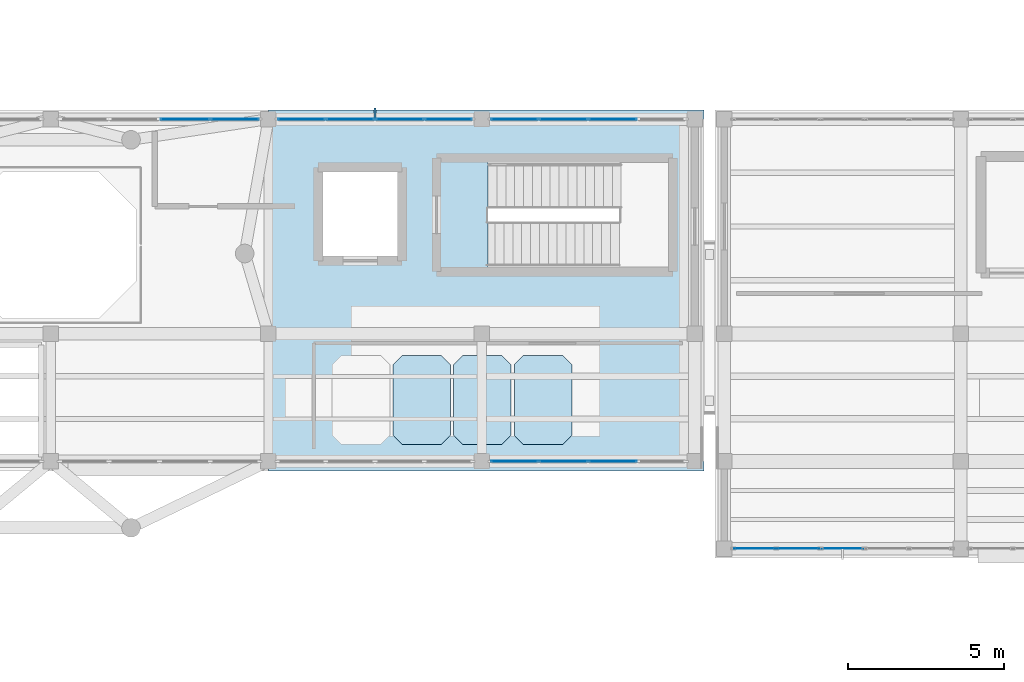
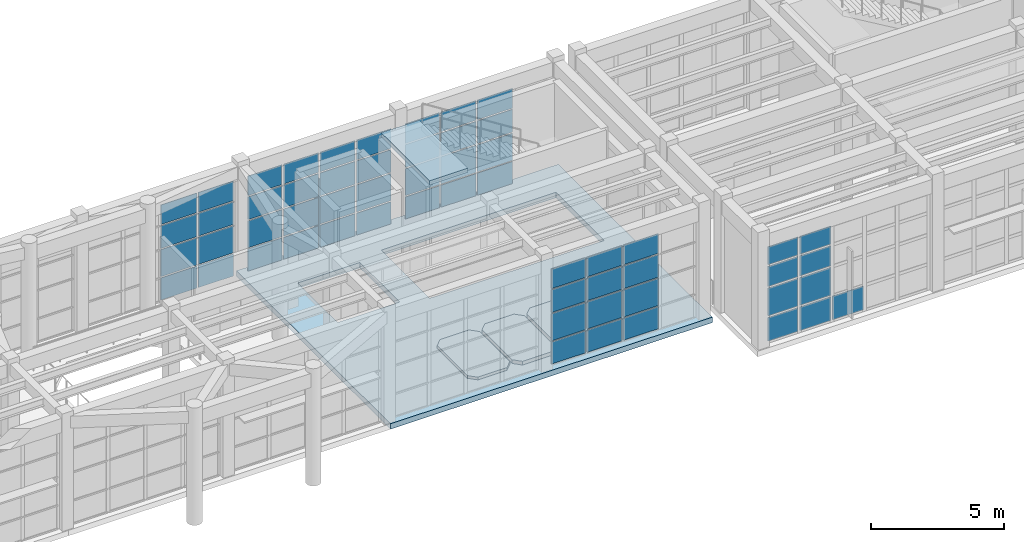
# One storey, part 68 of 103: 58 plates, 5 slabs, 6 elements without a shape of their own.
"""IFC4 building model written with IfcOpenShell, lengths in metres."""

from ifc_helpers import new_model, si_unit, direction, frame, origin, origin_2d, place, context, subcontext, project, spatial, polyline, rectangle, outline, extrude, material, layer, layer_set, type_object, element, aggregate, save


model = new_model("IFC4")

# Units and contexts
model_context = context("Model", 3, precision=1e-05, world=origin(), true_north=direction((0.0, 1.0)))
body_context = subcontext(model_context, "Body", "Model", "MODEL_VIEW")
ifc_project = project(units=[si_unit("LENGTHUNIT", "METRE"), si_unit("AREAUNIT", "SQUARE_METRE"), si_unit("VOLUMEUNIT", "CUBIC_METRE"), si_unit("PLANEANGLEUNIT", "RADIAN"), si_unit("MASSUNIT", "GRAM", prefix="KILO")], contexts=[model_context])

# Site, building, storey
site_placement = place(None, origin())
site = spatial("IfcSite", under=ifc_project, at=site_placement, CompositionType="ELEMENT")
building_placement = place(site_placement, origin())
building = spatial("IfcBuilding", under=site, at=building_placement, Name="Candilejo Ridge Gondola Terminal", CompositionType="ELEMENT")
storey_placement = place(building_placement, frame((0.0, 0.0, 9.0)))
storey = spatial("IfcBuildingStorey", under=building, at=storey_placement, Name="L02", CompositionType="ELEMENT", Elevation=9.0)

# Slabs
ifc_material_1 = material(Name="Concrete f'c 35 MPa (C35/45)", Category="concrete")
ifc_layer_1 = layer(ifc_material_1, 0.169921875)
ifc_layer_set_1 = layer_set([ifc_layer_1], Name="ARC-AUD-TIER-SLAB")
slab_type_1 = type_object("IfcSlabType", Name="ARC-AUD-TIER-SLAB", PredefinedType="USERDEFINED", material=ifc_layer_set_1)
slab_1_placement = place(storey_placement, origin())
element("IfcSlab", 1, at=slab_1_placement, inside=storey, type_object=slab_type_1, Name="Lecture auditorium tier 02", ObjectType="AUDITORIUM TIER", PredefinedType="USERDEFINED", context=body_context, shape_type="SweptSolid", body=[
    extrude(outline(polyline([(76.640380859375, 26.25), (77.90966796875, 26.25), (78.199951171875, 26.540283203125), (78.199951171875, 28.8095703125), (77.90966796875, 29.10009765625), (76.640380859375, 29.10009765625), (76.35009765625, 28.8095703125), (76.35009765625, 26.540283203125), (76.640380859375, 26.25)])), origin(), (0.0, 0.0, 1.0), 0.125),
])
slab_2_placement = place(storey_placement, origin())
element("IfcSlab", 2, at=slab_2_placement, inside=storey, type_object=slab_type_1, Name="Lecture auditorium tier 03", ObjectType="AUDITORIUM TIER", PredefinedType="USERDEFINED", context=body_context, shape_type="SweptSolid", body=[
    extrude(outline(polyline([(78.59033203125, 26.25), (79.859619140625, 26.25), (80.14990234375, 26.540283203125), (80.14990234375, 28.8095703125), (79.859619140625, 29.10009765625), (78.59033203125, 29.10009765625), (78.300048828125, 28.8095703125), (78.300048828125, 26.540283203125), (78.59033203125, 26.25)])), origin(), (0.0, 0.0, 1.0), 0.169921875),
])
slab_3_placement = place(storey_placement, origin())
element("IfcSlab", 3, at=slab_3_placement, inside=storey, type_object=slab_type_1, Name="Lecture auditorium tier 04", ObjectType="AUDITORIUM TIER", PredefinedType="USERDEFINED", context=body_context, shape_type="SweptSolid", body=[
    extrude(outline(polyline([(80.540283203125, 26.25), (81.8095703125, 26.25), (82.10009765625, 26.540283203125), (82.10009765625, 28.8095703125), (81.8095703125, 29.10009765625), (80.540283203125, 29.10009765625), (80.25, 28.8095703125), (80.25, 26.540283203125), (80.540283203125, 26.25)])), origin(), (0.0, 0.0, 1.0), 0.215087890625),
])

# Curtain wall, plates
ifc_material_2 = material(Name="Anodised aluminium AA 6063-T6", Category="aluminium")
ifc_layer_2 = layer(ifc_material_2, 0.169921875)
ifc_layer_set_2 = layer_set([ifc_layer_2], Name="ARC-CW-DRUM-3400-650X449")
curtain_wall_type_1 = type_object("IfcCurtainWallType", Name="ARC-CW-DRUM-3400-650X449", PredefinedType="NOTDEFINED", material=ifc_layer_set_2)
curtain_wall_1_placement = place(storey_placement, origin())
curtain_wall_1 = element("IfcCurtainWall", 4, at=curtain_wall_1_placement, inside=storey, type_object=curtain_wall_type_1, Name="Curtain wall V2 L02-052", PredefinedType="NOTDEFINED")
ifc_material_3 = material(Name="Low-E laminated double glazing 6+12A+6+1.52PVB+6 mm", Category="glass")
ifc_layer_3 = layer(ifc_material_3, 0.028076171875)
ifc_layer_set_3 = layer_set([ifc_layer_3], Name="ARC-CW-GLAZ-PANEL")
plate_type_1 = type_object("IfcPlateType", Name="ARC-CW-GLAZ-PANEL", PredefinedType="CURTAIN_PANEL", material=ifc_layer_set_3)
plate_1_placement = place(storey_placement, frame((69.66259765625, 36.699951171875, 0.06005859375), z_axis=(0.0, 0.0, 1.0), x_axis=(1.0, 0.0, 0.0)))
plate_1 = element("IfcPlate", 5, at=plate_1_placement, type_object=plate_type_1, Name="CW-65X44 panel 3.1", PredefinedType="CURTAIN_PANEL", context=body_context, shape_type="SweptSolid", body=[
    extrude(rectangle(XDim=1.56005859375, YDim=0.028076171875, at=origin_2d()), origin(), (0.0, 0.0, 1.0), 1.010009765625),
])
plate_2_placement = place(storey_placement, frame((69.66259765625, 36.699951171875, 1.1298828125), z_axis=(0.0, 0.0, 1.0), x_axis=(1.0, 0.0, 0.0)))
plate_2 = element("IfcPlate", 6, at=plate_2_placement, type_object=plate_type_1, Name="CW-65X44 panel 3.2", PredefinedType="CURTAIN_PANEL", context=body_context, shape_type="SweptSolid", body=[
    extrude(rectangle(XDim=1.56005859375, YDim=0.028076171875, at=origin_2d()), origin(), (0.0, 0.0, 1.0), 1.239990234375),
])
plate_3_placement = place(storey_placement, frame((69.66259765625, 36.699951171875, 2.429931640625), z_axis=(0.0, 0.0, 1.0), x_axis=(1.0, 0.0, 0.0)))
plate_3 = element("IfcPlate", 7, at=plate_3_placement, type_object=plate_type_1, Name="CW-65X44 panel 3.3", PredefinedType="CURTAIN_PANEL", context=body_context, shape_type="SweptSolid", body=[
    extrude(rectangle(XDim=1.56005859375, YDim=0.028076171875, at=origin_2d()), origin(), (0.0, 0.0, 1.0), 1.0400390625),
])
plate_4_placement = place(storey_placement, frame((69.66259765625, 36.699951171875, 3.530029296875), z_axis=(0.0, 0.0, 1.0), x_axis=(1.0, 0.0, 0.0)))
plate_4 = element("IfcPlate", 8, at=plate_4_placement, type_object=plate_type_1, Name="CW-65X44 panel 3.4", PredefinedType="CURTAIN_PANEL", context=body_context, shape_type="SweptSolid", body=[
    extrude(rectangle(XDim=1.56005859375, YDim=0.028076171875, at=origin_2d()), origin(), (0.0, 0.0, 1.0), 0.89990234375),
])
plate_5_placement = place(storey_placement, frame((71.271240234375, 36.699951171875, 0.06005859375), z_axis=(0.0, 0.0, 1.0), x_axis=(1.0, 0.0, 0.0)))
plate_5 = element("IfcPlate", 9, at=plate_5_placement, type_object=plate_type_1, Name="CW-65X44 panel 4.1", PredefinedType="CURTAIN_PANEL", context=body_context, shape_type="SweptSolid", body=[
    extrude(rectangle(XDim=1.527587890625, YDim=0.028076171875, at=origin_2d()), origin(), (0.0, 0.0, 1.0), 1.010009765625),
])
plate_6_placement = place(storey_placement, frame((71.271240234375, 36.699951171875, 1.1298828125), z_axis=(0.0, 0.0, 1.0), x_axis=(1.0, 0.0, 0.0)))
plate_6 = element("IfcPlate", 10, at=plate_6_placement, type_object=plate_type_1, Name="CW-65X44 panel 4.2", PredefinedType="CURTAIN_PANEL", context=body_context, shape_type="SweptSolid", body=[
    extrude(rectangle(XDim=1.527587890625, YDim=0.028076171875, at=origin_2d()), origin(), (0.0, 0.0, 1.0), 1.239990234375),
])
plate_7_placement = place(storey_placement, frame((71.271240234375, 36.699951171875, 2.429931640625), z_axis=(0.0, 0.0, 1.0), x_axis=(1.0, 0.0, 0.0)))
plate_7 = element("IfcPlate", 11, at=plate_7_placement, type_object=plate_type_1, Name="CW-65X44 panel 4.3", PredefinedType="CURTAIN_PANEL", context=body_context, shape_type="SweptSolid", body=[
    extrude(rectangle(XDim=1.527587890625, YDim=0.028076171875, at=origin_2d()), origin(), (0.0, 0.0, 1.0), 1.0400390625),
])
plate_8_placement = place(storey_placement, frame((71.271240234375, 36.699951171875, 3.530029296875), z_axis=(0.0, 0.0, 1.0), x_axis=(1.0, 0.0, 0.0)))
plate_8 = element("IfcPlate", 12, at=plate_8_placement, type_object=plate_type_1, Name="CW-65X44 panel 4.4", PredefinedType="CURTAIN_PANEL", context=body_context, shape_type="SweptSolid", body=[
    extrude(rectangle(XDim=1.527587890625, YDim=0.028076171875, at=origin_2d()), origin(), (0.0, 0.0, 1.0), 0.89990234375),
])
aggregate(curtain_wall_1, [plate_1, plate_2, plate_3, plate_4, plate_5, plate_6, plate_7, plate_8])

ifc_material_4 = material(Name="Anodised aluminium AA 6063-T6", Category="aluminium")
ifc_layer_4 = layer(ifc_material_4, 0.169921875)
ifc_layer_set_4 = layer_set([ifc_layer_4], Name="ARC-CW-DRUM-3400-635X449")
curtain_wall_type_2 = type_object("IfcCurtainWallType", Name="ARC-CW-DRUM-3400-635X449", PredefinedType="NOTDEFINED", material=ifc_layer_set_4)
curtain_wall_2_placement = place(storey_placement, origin())
curtain_wall_2 = element("IfcCurtainWall", 13, at=curtain_wall_2_placement, inside=storey, type_object=curtain_wall_type_2, Name="Curtain wall V2 L02-054", PredefinedType="NOTDEFINED")
plate_9_placement = place(storey_placement, frame((73.409912109375, 36.699951171875, 0.06005859375), z_axis=(0.0, 0.0, 1.0), x_axis=(1.0, 0.0, 0.0)))
plate_9 = element("IfcPlate", 14, at=plate_9_placement, type_object=plate_type_1, Name="CW-63X44 panel 1.1", PredefinedType="CURTAIN_PANEL", context=body_context, shape_type="SweptSolid", body=[
    extrude(rectangle(XDim=1.489990234375, YDim=0.028076171875, at=origin_2d()), origin(), (0.0, 0.0, 1.0), 1.010009765625),
])
plate_10_placement = place(storey_placement, frame((73.409912109375, 36.699951171875, 1.1298828125), z_axis=(0.0, 0.0, 1.0), x_axis=(1.0, 0.0, 0.0)))
plate_10 = element("IfcPlate", 15, at=plate_10_placement, type_object=plate_type_1, Name="CW-63X44 panel 1.2", PredefinedType="CURTAIN_PANEL", context=body_context, shape_type="SweptSolid", body=[
    extrude(rectangle(XDim=1.489990234375, YDim=0.028076171875, at=origin_2d()), origin(), (0.0, 0.0, 1.0), 1.239990234375),
])
plate_11_placement = place(storey_placement, frame((73.409912109375, 36.699951171875, 2.429931640625), z_axis=(0.0, 0.0, 1.0), x_axis=(1.0, 0.0, 0.0)))
plate_11 = element("IfcPlate", 16, at=plate_11_placement, type_object=plate_type_1, Name="CW-63X44 panel 1.3", PredefinedType="CURTAIN_PANEL", context=body_context, shape_type="SweptSolid", body=[
    extrude(rectangle(XDim=1.489990234375, YDim=0.028076171875, at=origin_2d()), origin(), (0.0, 0.0, 1.0), 1.0400390625),
])
plate_12_placement = place(storey_placement, frame((73.409912109375, 36.699951171875, 3.530029296875), z_axis=(0.0, 0.0, 1.0), x_axis=(1.0, 0.0, 0.0)))
plate_12 = element("IfcPlate", 17, at=plate_12_placement, type_object=plate_type_1, Name="CW-63X44 panel 1.4", PredefinedType="CURTAIN_PANEL", context=body_context, shape_type="SweptSolid", body=[
    extrude(rectangle(XDim=1.489990234375, YDim=0.028076171875, at=origin_2d()), origin(), (0.0, 0.0, 1.0), 0.89990234375),
])
plate_13_placement = place(storey_placement, frame((74.981201171875, 36.699951171875, 0.06005859375), z_axis=(0.0, 0.0, 1.0), x_axis=(1.0, 0.0, 0.0)))
plate_13 = element("IfcPlate", 18, at=plate_13_placement, type_object=plate_type_1, Name="CW-63X44 panel 2.1", PredefinedType="CURTAIN_PANEL", context=body_context, shape_type="SweptSolid", body=[
    extrude(rectangle(XDim=1.5224609375, YDim=0.028076171875, at=origin_2d()), origin(), (0.0, 0.0, 1.0), 1.010009765625),
])
plate_14_placement = place(storey_placement, frame((74.981201171875, 36.699951171875, 1.1298828125), z_axis=(0.0, 0.0, 1.0), x_axis=(1.0, 0.0, 0.0)))
plate_14 = element("IfcPlate", 19, at=plate_14_placement, type_object=plate_type_1, Name="CW-63X44 panel 2.2", PredefinedType="CURTAIN_PANEL", context=body_context, shape_type="SweptSolid", body=[
    extrude(rectangle(XDim=1.5224609375, YDim=0.028076171875, at=origin_2d()), origin(), (0.0, 0.0, 1.0), 1.239990234375),
])
plate_15_placement = place(storey_placement, frame((74.981201171875, 36.699951171875, 2.429931640625), z_axis=(0.0, 0.0, 1.0), x_axis=(1.0, 0.0, 0.0)))
plate_15 = element("IfcPlate", 20, at=plate_15_placement, type_object=plate_type_1, Name="CW-63X44 panel 2.3", PredefinedType="CURTAIN_PANEL", context=body_context, shape_type="SweptSolid", body=[
    extrude(rectangle(XDim=1.5224609375, YDim=0.028076171875, at=origin_2d()), origin(), (0.0, 0.0, 1.0), 1.0400390625),
])
plate_16_placement = place(storey_placement, frame((74.981201171875, 36.699951171875, 3.530029296875), z_axis=(0.0, 0.0, 1.0), x_axis=(1.0, 0.0, 0.0)))
plate_16 = element("IfcPlate", 21, at=plate_16_placement, type_object=plate_type_1, Name="CW-63X44 panel 2.4", PredefinedType="CURTAIN_PANEL", context=body_context, shape_type="SweptSolid", body=[
    extrude(rectangle(XDim=1.5224609375, YDim=0.028076171875, at=origin_2d()), origin(), (0.0, 0.0, 1.0), 0.89990234375),
])
plate_17_placement = place(storey_placement, frame((76.56884765625, 36.699951171875, 0.06005859375), z_axis=(0.0, 0.0, 1.0), x_axis=(1.0, 0.0, 0.0)))
plate_17 = element("IfcPlate", 22, at=plate_17_placement, type_object=plate_type_1, Name="CW-63X44 panel 3.1", PredefinedType="CURTAIN_PANEL", context=body_context, shape_type="SweptSolid", body=[
    extrude(rectangle(XDim=1.5224609375, YDim=0.028076171875, at=origin_2d()), origin(), (0.0, 0.0, 1.0), 1.010009765625),
])
plate_18_placement = place(storey_placement, frame((76.56884765625, 36.699951171875, 1.1298828125), z_axis=(0.0, 0.0, 1.0), x_axis=(1.0, 0.0, 0.0)))
plate_18 = element("IfcPlate", 23, at=plate_18_placement, type_object=plate_type_1, Name="CW-63X44 panel 3.2", PredefinedType="CURTAIN_PANEL", context=body_context, shape_type="SweptSolid", body=[
    extrude(rectangle(XDim=1.5224609375, YDim=0.028076171875, at=origin_2d()), origin(), (0.0, 0.0, 1.0), 1.239990234375),
])
plate_19_placement = place(storey_placement, frame((76.56884765625, 36.699951171875, 2.429931640625), z_axis=(0.0, 0.0, 1.0), x_axis=(1.0, 0.0, 0.0)))
plate_19 = element("IfcPlate", 24, at=plate_19_placement, type_object=plate_type_1, Name="CW-63X44 panel 3.3", PredefinedType="CURTAIN_PANEL", context=body_context, shape_type="SweptSolid", body=[
    extrude(rectangle(XDim=1.5224609375, YDim=0.028076171875, at=origin_2d()), origin(), (0.0, 0.0, 1.0), 1.0400390625),
])
plate_20_placement = place(storey_placement, frame((76.56884765625, 36.699951171875, 3.530029296875), z_axis=(0.0, 0.0, 1.0), x_axis=(1.0, 0.0, 0.0)))
plate_20 = element("IfcPlate", 25, at=plate_20_placement, type_object=plate_type_1, Name="CW-63X44 panel 3.4", PredefinedType="CURTAIN_PANEL", context=body_context, shape_type="SweptSolid", body=[
    extrude(rectangle(XDim=1.5224609375, YDim=0.028076171875, at=origin_2d()), origin(), (0.0, 0.0, 1.0), 0.89990234375),
])
plate_21_placement = place(storey_placement, frame((78.139892578125, 36.699951171875, 0.06005859375), z_axis=(0.0, 0.0, 1.0), x_axis=(1.0, 0.0, 0.0)))
plate_21 = element("IfcPlate", 26, at=plate_21_placement, type_object=plate_type_1, Name="CW-63X44 panel 4.1", PredefinedType="CURTAIN_PANEL", context=body_context, shape_type="SweptSolid", body=[
    extrude(rectangle(XDim=1.489990234375, YDim=0.028076171875, at=origin_2d()), origin(), (0.0, 0.0, 1.0), 1.010009765625),
])
plate_22_placement = place(storey_placement, frame((78.139892578125, 36.699951171875, 1.1298828125), z_axis=(0.0, 0.0, 1.0), x_axis=(1.0, 0.0, 0.0)))
plate_22 = element("IfcPlate", 27, at=plate_22_placement, type_object=plate_type_1, Name="CW-63X44 panel 4.2", PredefinedType="CURTAIN_PANEL", context=body_context, shape_type="SweptSolid", body=[
    extrude(rectangle(XDim=1.489990234375, YDim=0.028076171875, at=origin_2d()), origin(), (0.0, 0.0, 1.0), 1.239990234375),
])
plate_23_placement = place(storey_placement, frame((78.139892578125, 36.699951171875, 2.429931640625), z_axis=(0.0, 0.0, 1.0), x_axis=(1.0, 0.0, 0.0)))
plate_23 = element("IfcPlate", 28, at=plate_23_placement, type_object=plate_type_1, Name="CW-63X44 panel 4.3", PredefinedType="CURTAIN_PANEL", context=body_context, shape_type="SweptSolid", body=[
    extrude(rectangle(XDim=1.489990234375, YDim=0.028076171875, at=origin_2d()), origin(), (0.0, 0.0, 1.0), 1.0400390625),
])
plate_24_placement = place(storey_placement, frame((78.139892578125, 36.699951171875, 3.530029296875), z_axis=(0.0, 0.0, 1.0), x_axis=(1.0, 0.0, 0.0)))
plate_24 = element("IfcPlate", 29, at=plate_24_placement, type_object=plate_type_1, Name="CW-63X44 panel 4.4", PredefinedType="CURTAIN_PANEL", context=body_context, shape_type="SweptSolid", body=[
    extrude(rectangle(XDim=1.489990234375, YDim=0.028076171875, at=origin_2d()), origin(), (0.0, 0.0, 1.0), 0.89990234375),
])
aggregate(curtain_wall_2, [plate_9, plate_10, plate_11, plate_12, plate_13, plate_14, plate_15, plate_16, plate_17, plate_18, plate_19, plate_20, plate_21, plate_22, plate_23, plate_24])

curtain_wall_3_placement = place(storey_placement, origin())
curtain_wall_3 = element("IfcCurtainWall", 30, at=curtain_wall_3_placement, inside=storey, type_object=curtain_wall_type_2, Name="Curtain wall V2 L02-056", PredefinedType="NOTDEFINED")
plate_25_placement = place(storey_placement, frame((80.260009765625, 36.699951171875, 0.06005859375), z_axis=(0.0, 0.0, 1.0), x_axis=(1.0, 0.0, 0.0)))
plate_25 = element("IfcPlate", 31, at=plate_25_placement, type_object=plate_type_1, Name="CW-63X44 panel 1.1", PredefinedType="CURTAIN_PANEL", context=body_context, shape_type="SweptSolid", body=[
    extrude(rectangle(XDim=1.489990234375, YDim=0.028076171875, at=origin_2d()), origin(), (0.0, 0.0, 1.0), 1.010009765625),
])
plate_26_placement = place(storey_placement, frame((80.260009765625, 36.699951171875, 1.1298828125), z_axis=(0.0, 0.0, 1.0), x_axis=(1.0, 0.0, 0.0)))
plate_26 = element("IfcPlate", 32, at=plate_26_placement, type_object=plate_type_1, Name="CW-63X44 panel 1.2", PredefinedType="CURTAIN_PANEL", context=body_context, shape_type="SweptSolid", body=[
    extrude(rectangle(XDim=1.489990234375, YDim=0.028076171875, at=origin_2d()), origin(), (0.0, 0.0, 1.0), 1.239990234375),
])
plate_27_placement = place(storey_placement, frame((80.260009765625, 36.699951171875, 2.429931640625), z_axis=(0.0, 0.0, 1.0), x_axis=(1.0, 0.0, 0.0)))
plate_27 = element("IfcPlate", 33, at=plate_27_placement, type_object=plate_type_1, Name="CW-63X44 panel 1.3", PredefinedType="CURTAIN_PANEL", context=body_context, shape_type="SweptSolid", body=[
    extrude(rectangle(XDim=1.489990234375, YDim=0.028076171875, at=origin_2d()), origin(), (0.0, 0.0, 1.0), 1.0400390625),
])
plate_28_placement = place(storey_placement, frame((80.260009765625, 36.699951171875, 3.530029296875), z_axis=(0.0, 0.0, 1.0), x_axis=(1.0, 0.0, 0.0)))
plate_28 = element("IfcPlate", 34, at=plate_28_placement, type_object=plate_type_1, Name="CW-63X44 panel 1.4", PredefinedType="CURTAIN_PANEL", context=body_context, shape_type="SweptSolid", body=[
    extrude(rectangle(XDim=1.489990234375, YDim=0.028076171875, at=origin_2d()), origin(), (0.0, 0.0, 1.0), 0.89990234375),
])
plate_29_placement = place(storey_placement, frame((81.831298828125, 36.699951171875, 0.06005859375), z_axis=(0.0, 0.0, 1.0), x_axis=(1.0, 0.0, 0.0)))
plate_29 = element("IfcPlate", 35, at=plate_29_placement, type_object=plate_type_1, Name="CW-63X44 panel 2.1", PredefinedType="CURTAIN_PANEL", context=body_context, shape_type="SweptSolid", body=[
    extrude(rectangle(XDim=1.5224609375, YDim=0.028076171875, at=origin_2d()), origin(), (0.0, 0.0, 1.0), 1.010009765625),
])
plate_30_placement = place(storey_placement, frame((81.831298828125, 36.699951171875, 1.1298828125), z_axis=(0.0, 0.0, 1.0), x_axis=(1.0, 0.0, 0.0)))
plate_30 = element("IfcPlate", 36, at=plate_30_placement, type_object=plate_type_1, Name="CW-63X44 panel 2.2", PredefinedType="CURTAIN_PANEL", context=body_context, shape_type="SweptSolid", body=[
    extrude(rectangle(XDim=1.5224609375, YDim=0.028076171875, at=origin_2d()), origin(), (0.0, 0.0, 1.0), 1.239990234375),
])
plate_31_placement = place(storey_placement, frame((81.831298828125, 36.699951171875, 2.429931640625), z_axis=(0.0, 0.0, 1.0), x_axis=(1.0, 0.0, 0.0)))
plate_31 = element("IfcPlate", 37, at=plate_31_placement, type_object=plate_type_1, Name="CW-63X44 panel 2.3", PredefinedType="CURTAIN_PANEL", context=body_context, shape_type="SweptSolid", body=[
    extrude(rectangle(XDim=1.5224609375, YDim=0.028076171875, at=origin_2d()), origin(), (0.0, 0.0, 1.0), 1.0400390625),
])
plate_32_placement = place(storey_placement, frame((81.831298828125, 36.699951171875, 3.530029296875), z_axis=(0.0, 0.0, 1.0), x_axis=(1.0, 0.0, 0.0)))
plate_32 = element("IfcPlate", 38, at=plate_32_placement, type_object=plate_type_1, Name="CW-63X44 panel 2.4", PredefinedType="CURTAIN_PANEL", context=body_context, shape_type="SweptSolid", body=[
    extrude(rectangle(XDim=1.5224609375, YDim=0.028076171875, at=origin_2d()), origin(), (0.0, 0.0, 1.0), 0.89990234375),
])
plate_33_placement = place(storey_placement, frame((83.418701171875, 36.699951171875, 0.06005859375), z_axis=(0.0, 0.0, 1.0), x_axis=(1.0, 0.0, 0.0)))
plate_33 = element("IfcPlate", 39, at=plate_33_placement, type_object=plate_type_1, Name="CW-63X44 panel 3.1", PredefinedType="CURTAIN_PANEL", context=body_context, shape_type="SweptSolid", body=[
    extrude(rectangle(XDim=1.5224609375, YDim=0.028076171875, at=origin_2d()), origin(), (0.0, 0.0, 1.0), 1.010009765625),
])
plate_34_placement = place(storey_placement, frame((83.418701171875, 36.699951171875, 1.1298828125), z_axis=(0.0, 0.0, 1.0), x_axis=(1.0, 0.0, 0.0)))
plate_34 = element("IfcPlate", 40, at=plate_34_placement, type_object=plate_type_1, Name="CW-63X44 panel 3.2", PredefinedType="CURTAIN_PANEL", context=body_context, shape_type="SweptSolid", body=[
    extrude(rectangle(XDim=1.5224609375, YDim=0.028076171875, at=origin_2d()), origin(), (0.0, 0.0, 1.0), 1.239990234375),
])
plate_35_placement = place(storey_placement, frame((83.418701171875, 36.699951171875, 2.429931640625), z_axis=(0.0, 0.0, 1.0), x_axis=(1.0, 0.0, 0.0)))
plate_35 = element("IfcPlate", 41, at=plate_35_placement, type_object=plate_type_1, Name="CW-63X44 panel 3.3", PredefinedType="CURTAIN_PANEL", context=body_context, shape_type="SweptSolid", body=[
    extrude(rectangle(XDim=1.5224609375, YDim=0.028076171875, at=origin_2d()), origin(), (0.0, 0.0, 1.0), 1.0400390625),
])
plate_36_placement = place(storey_placement, frame((83.418701171875, 36.699951171875, 3.530029296875), z_axis=(0.0, 0.0, 1.0), x_axis=(1.0, 0.0, 0.0)))
plate_36 = element("IfcPlate", 42, at=plate_36_placement, type_object=plate_type_1, Name="CW-63X44 panel 3.4", PredefinedType="CURTAIN_PANEL", context=body_context, shape_type="SweptSolid", body=[
    extrude(rectangle(XDim=1.5224609375, YDim=0.028076171875, at=origin_2d()), origin(), (0.0, 0.0, 1.0), 0.89990234375),
])
aggregate(curtain_wall_3, [plate_25, plate_26, plate_27, plate_28, plate_29, plate_30, plate_31, plate_32, plate_33, plate_34, plate_35, plate_36])

curtain_wall_4_placement = place(storey_placement, origin())
curtain_wall_4 = element("IfcCurtainWall", 43, at=curtain_wall_4_placement, inside=storey, type_object=curtain_wall_type_2, Name="Curtain wall V2 L02-057", PredefinedType="NOTDEFINED")
plate_37_placement = place(storey_placement, frame((80.260009765625, 25.699951171875, 0.06005859375), z_axis=(0.0, 0.0, 1.0), x_axis=(1.0, 0.0, 0.0)))
plate_37 = element("IfcPlate", 44, at=plate_37_placement, type_object=plate_type_1, Name="CW-63X44 panel 1.1", PredefinedType="CURTAIN_PANEL", context=body_context, shape_type="SweptSolid", body=[
    extrude(rectangle(XDim=1.489990234375, YDim=0.028076171875, at=origin_2d()), origin(), (0.0, 0.0, 1.0), 1.010009765625),
])
plate_38_placement = place(storey_placement, frame((80.260009765625, 25.699951171875, 1.1298828125), z_axis=(0.0, 0.0, 1.0), x_axis=(1.0, 0.0, 0.0)))
plate_38 = element("IfcPlate", 45, at=plate_38_placement, type_object=plate_type_1, Name="CW-63X44 panel 1.2", PredefinedType="CURTAIN_PANEL", context=body_context, shape_type="SweptSolid", body=[
    extrude(rectangle(XDim=1.489990234375, YDim=0.028076171875, at=origin_2d()), origin(), (0.0, 0.0, 1.0), 1.239990234375),
])
plate_39_placement = place(storey_placement, frame((80.260009765625, 25.699951171875, 2.429931640625), z_axis=(0.0, 0.0, 1.0), x_axis=(1.0, 0.0, 0.0)))
plate_39 = element("IfcPlate", 46, at=plate_39_placement, type_object=plate_type_1, Name="CW-63X44 panel 1.3", PredefinedType="CURTAIN_PANEL", context=body_context, shape_type="SweptSolid", body=[
    extrude(rectangle(XDim=1.489990234375, YDim=0.028076171875, at=origin_2d()), origin(), (0.0, 0.0, 1.0), 1.0400390625),
])
plate_40_placement = place(storey_placement, frame((80.260009765625, 25.699951171875, 3.530029296875), z_axis=(0.0, 0.0, 1.0), x_axis=(1.0, 0.0, 0.0)))
plate_40 = element("IfcPlate", 47, at=plate_40_placement, type_object=plate_type_1, Name="CW-63X44 panel 1.4", PredefinedType="CURTAIN_PANEL", context=body_context, shape_type="SweptSolid", body=[
    extrude(rectangle(XDim=1.489990234375, YDim=0.028076171875, at=origin_2d()), origin(), (0.0, 0.0, 1.0), 0.89990234375),
])
plate_41_placement = place(storey_placement, frame((81.831298828125, 25.699951171875, 0.06005859375), z_axis=(0.0, 0.0, 1.0), x_axis=(1.0, 0.0, 0.0)))
plate_41 = element("IfcPlate", 48, at=plate_41_placement, type_object=plate_type_1, Name="CW-63X44 panel 2.1", PredefinedType="CURTAIN_PANEL", context=body_context, shape_type="SweptSolid", body=[
    extrude(rectangle(XDim=1.5224609375, YDim=0.028076171875, at=origin_2d()), origin(), (0.0, 0.0, 1.0), 1.010009765625),
])
plate_42_placement = place(storey_placement, frame((81.831298828125, 25.699951171875, 1.1298828125), z_axis=(0.0, 0.0, 1.0), x_axis=(1.0, 0.0, 0.0)))
plate_42 = element("IfcPlate", 49, at=plate_42_placement, type_object=plate_type_1, Name="CW-63X44 panel 2.2", PredefinedType="CURTAIN_PANEL", context=body_context, shape_type="SweptSolid", body=[
    extrude(rectangle(XDim=1.5224609375, YDim=0.028076171875, at=origin_2d()), origin(), (0.0, 0.0, 1.0), 1.239990234375),
])
plate_43_placement = place(storey_placement, frame((81.831298828125, 25.699951171875, 2.429931640625), z_axis=(0.0, 0.0, 1.0), x_axis=(1.0, 0.0, 0.0)))
plate_43 = element("IfcPlate", 50, at=plate_43_placement, type_object=plate_type_1, Name="CW-63X44 panel 2.3", PredefinedType="CURTAIN_PANEL", context=body_context, shape_type="SweptSolid", body=[
    extrude(rectangle(XDim=1.5224609375, YDim=0.028076171875, at=origin_2d()), origin(), (0.0, 0.0, 1.0), 1.0400390625),
])
plate_44_placement = place(storey_placement, frame((81.831298828125, 25.699951171875, 3.530029296875), z_axis=(0.0, 0.0, 1.0), x_axis=(1.0, 0.0, 0.0)))
plate_44 = element("IfcPlate", 51, at=plate_44_placement, type_object=plate_type_1, Name="CW-63X44 panel 2.4", PredefinedType="CURTAIN_PANEL", context=body_context, shape_type="SweptSolid", body=[
    extrude(rectangle(XDim=1.5224609375, YDim=0.028076171875, at=origin_2d()), origin(), (0.0, 0.0, 1.0), 0.89990234375),
])
plate_45_placement = place(storey_placement, frame((83.418701171875, 25.699951171875, 0.06005859375), z_axis=(0.0, 0.0, 1.0), x_axis=(1.0, 0.0, 0.0)))
plate_45 = element("IfcPlate", 52, at=plate_45_placement, type_object=plate_type_1, Name="CW-63X44 panel 3.1", PredefinedType="CURTAIN_PANEL", context=body_context, shape_type="SweptSolid", body=[
    extrude(rectangle(XDim=1.5224609375, YDim=0.028076171875, at=origin_2d()), origin(), (0.0, 0.0, 1.0), 1.010009765625),
])
plate_46_placement = place(storey_placement, frame((83.418701171875, 25.699951171875, 1.1298828125), z_axis=(0.0, 0.0, 1.0), x_axis=(1.0, 0.0, 0.0)))
plate_46 = element("IfcPlate", 53, at=plate_46_placement, type_object=plate_type_1, Name="CW-63X44 panel 3.2", PredefinedType="CURTAIN_PANEL", context=body_context, shape_type="SweptSolid", body=[
    extrude(rectangle(XDim=1.5224609375, YDim=0.028076171875, at=origin_2d()), origin(), (0.0, 0.0, 1.0), 1.239990234375),
])
plate_47_placement = place(storey_placement, frame((83.418701171875, 25.699951171875, 2.429931640625), z_axis=(0.0, 0.0, 1.0), x_axis=(1.0, 0.0, 0.0)))
plate_47 = element("IfcPlate", 54, at=plate_47_placement, type_object=plate_type_1, Name="CW-63X44 panel 3.3", PredefinedType="CURTAIN_PANEL", context=body_context, shape_type="SweptSolid", body=[
    extrude(rectangle(XDim=1.5224609375, YDim=0.028076171875, at=origin_2d()), origin(), (0.0, 0.0, 1.0), 1.0400390625),
])
plate_48_placement = place(storey_placement, frame((83.418701171875, 25.699951171875, 3.530029296875), z_axis=(0.0, 0.0, 1.0), x_axis=(1.0, 0.0, 0.0)))
plate_48 = element("IfcPlate", 55, at=plate_48_placement, type_object=plate_type_1, Name="CW-63X44 panel 3.4", PredefinedType="CURTAIN_PANEL", context=body_context, shape_type="SweptSolid", body=[
    extrude(rectangle(XDim=1.5224609375, YDim=0.028076171875, at=origin_2d()), origin(), (0.0, 0.0, 1.0), 0.89990234375),
])
aggregate(curtain_wall_4, [plate_37, plate_38, plate_39, plate_40, plate_41, plate_42, plate_43, plate_44, plate_45, plate_46, plate_47, plate_48])

ifc_material_5 = material(Name="Anodised aluminium AA 6063-T6", Category="aluminium")
ifc_layer_5 = layer(ifc_material_5, 0.169921875)
ifc_layer_set_5 = layer_set([ifc_layer_5], Name="ARC-CW-CONCOURSE-3600-710X449")
curtain_wall_type_3 = type_object("IfcCurtainWallType", Name="ARC-CW-CONCOURSE-3600-710X449", PredefinedType="NOTDEFINED", material=ifc_layer_set_5)
curtain_wall_5_placement = place(storey_placement, origin())
curtain_wall_5 = element("IfcCurtainWall", 56, at=curtain_wall_5_placement, inside=storey, type_object=curtain_wall_type_3, Name="Curtain wall V3 L02-083", PredefinedType="NOTDEFINED")
plate_49_placement = place(storey_placement, frame((87.978759765625, 22.89990234375, 0.074951171875), z_axis=(0.0, 0.0, 1.0), x_axis=(1.0, 0.0, 0.0)))
plate_49 = element("IfcPlate", 57, at=plate_49_placement, type_object=plate_type_1, Name="CW-71X44 panel 1.1", PredefinedType="CURTAIN_PANEL", context=body_context, shape_type="SweptSolid", body=[
    extrude(rectangle(XDim=1.3076171875, YDim=0.028076171875, at=origin_2d()), origin(), (0.0, 0.0, 1.0), 1.08740234375),
])
plate_50_placement = place(storey_placement, frame((87.978759765625, 22.89990234375, 1.237548828125), z_axis=(0.0, 0.0, 1.0), x_axis=(1.0, 0.0, 0.0)))
plate_50 = element("IfcPlate", 58, at=plate_50_placement, type_object=plate_type_1, Name="CW-71X44 panel 1.2", PredefinedType="CURTAIN_PANEL", context=body_context, shape_type="SweptSolid", body=[
    extrude(rectangle(XDim=1.3076171875, YDim=0.028076171875, at=origin_2d()), origin(), (0.0, 0.0, 1.0), 1.27490234375),
])
plate_51_placement = place(storey_placement, frame((87.978759765625, 22.89990234375, 2.58740234375), z_axis=(0.0, 0.0, 1.0), x_axis=(1.0, 0.0, 0.0)))
plate_51 = element("IfcPlate", 59, at=plate_51_placement, type_object=plate_type_1, Name="CW-71X44 panel 1.3", PredefinedType="CURTAIN_PANEL", context=body_context, shape_type="SweptSolid", body=[
    extrude(rectangle(XDim=1.3076171875, YDim=0.028076171875, at=origin_2d()), origin(), (0.0, 0.0, 1.0), 0.925048828125),
])
plate_52_placement = place(storey_placement, frame((87.978759765625, 22.89990234375, 3.58740234375), z_axis=(0.0, 0.0, 1.0), x_axis=(1.0, 0.0, 0.0)))
plate_52 = element("IfcPlate", 60, at=plate_52_placement, type_object=plate_type_1, Name="CW-71X44 panel 1.4", PredefinedType="CURTAIN_PANEL", context=body_context, shape_type="SweptSolid", body=[
    extrude(rectangle(XDim=1.3076171875, YDim=0.028076171875, at=origin_2d()), origin(), (0.0, 0.0, 1.0), 0.827392578125),
])
plate_53_placement = place(storey_placement, frame((89.3798828125, 22.89990234375, 0.074951171875), z_axis=(0.0, 0.0, 1.0), x_axis=(1.0, 0.0, 0.0)))
plate_53 = element("IfcPlate", 61, at=plate_53_placement, type_object=plate_type_1, Name="CW-71X44 panel 2.1", PredefinedType="CURTAIN_PANEL", context=body_context, shape_type="SweptSolid", body=[
    extrude(rectangle(XDim=1.344970703125, YDim=0.028076171875, at=origin_2d()), origin(), (0.0, 0.0, 1.0), 1.08740234375),
])
plate_54_placement = place(storey_placement, frame((89.3798828125, 22.89990234375, 1.237548828125), z_axis=(0.0, 0.0, 1.0), x_axis=(1.0, 0.0, 0.0)))
plate_54 = element("IfcPlate", 62, at=plate_54_placement, type_object=plate_type_1, Name="CW-71X44 panel 2.2", PredefinedType="CURTAIN_PANEL", context=body_context, shape_type="SweptSolid", body=[
    extrude(rectangle(XDim=1.344970703125, YDim=0.028076171875, at=origin_2d()), origin(), (0.0, 0.0, 1.0), 1.27490234375),
])
plate_55_placement = place(storey_placement, frame((89.3798828125, 22.89990234375, 2.58740234375), z_axis=(0.0, 0.0, 1.0), x_axis=(1.0, 0.0, 0.0)))
plate_55 = element("IfcPlate", 63, at=plate_55_placement, type_object=plate_type_1, Name="CW-71X44 panel 2.3", PredefinedType="CURTAIN_PANEL", context=body_context, shape_type="SweptSolid", body=[
    extrude(rectangle(XDim=1.344970703125, YDim=0.028076171875, at=origin_2d()), origin(), (0.0, 0.0, 1.0), 0.925048828125),
])
plate_56_placement = place(storey_placement, frame((89.3798828125, 22.89990234375, 3.58740234375), z_axis=(0.0, 0.0, 1.0), x_axis=(1.0, 0.0, 0.0)))
plate_56 = element("IfcPlate", 64, at=plate_56_placement, type_object=plate_type_1, Name="CW-71X44 panel 2.4", PredefinedType="CURTAIN_PANEL", context=body_context, shape_type="SweptSolid", body=[
    extrude(rectangle(XDim=1.344970703125, YDim=0.028076171875, at=origin_2d()), origin(), (0.0, 0.0, 1.0), 0.827392578125),
])
plate_57_placement = place(storey_placement, frame((90.800048828125, 22.89990234375, 0.074951171875), z_axis=(0.0, 0.0, 1.0), x_axis=(1.0, 0.0, 0.0)))
plate_57 = element("IfcPlate", 65, at=plate_57_placement, type_object=plate_type_1, Name="CW-71X44 panel 3.1", PredefinedType="CURTAIN_PANEL", context=body_context, shape_type="SweptSolid", body=[
    extrude(rectangle(XDim=1.344970703125, YDim=0.028076171875, at=origin_2d()), origin(), (0.0, 0.0, 1.0), 1.08740234375),
])
aggregate(curtain_wall_5, [plate_49, plate_50, plate_51, plate_52, plate_53, plate_54, plate_55, plate_56, plate_57])

# Plate
ifc_material_6 = material(Name="Extruded architectural terracotta fin", Category="masonry")
plate_type_2 = type_object("IfcPlateType", Name="ARC-SOLAR-FIN-340", PredefinedType="USERDEFINED", material=ifc_material_6)
plate_58_placement = place(storey_placement, frame((75.77490234375, 36.884033203125, 0.099853515625), z_axis=(0.0, 0.0, 1.0), x_axis=(1.0, 0.0, 0.0)))
element("IfcPlate", 66, at=plate_58_placement, inside=storey, type_object=plate_type_2, Name="Terracotta solar fin V2-14", ObjectType="SOLAR FIN", PredefinedType="USERDEFINED", context=body_context, shape_type="SweptSolid", body=[
    extrude(rectangle(XDim=0.06494140625, YDim=0.340087890625, at=origin_2d()), origin(), (0.0, 0.0, 1.0), 3.10009765625),
])

# Slab
ifc_material_7 = material(Name="Concrete f'c 35 MPa (C35/45)", Category="concrete")
ifc_layer_6 = layer(ifc_material_7, 0.25)
ifc_layer_set_6 = layer_set([ifc_layer_6], Name="STR-FLOOR-SLAB-250")
slab_type_2 = type_object("IfcSlabType", Name="STR-FLOOR-SLAB-250", PredefinedType="FLOOR", material=ifc_layer_set_6)
slab_4_placement = place(storey_placement, frame((0.0, 0.0, -0.25)))
element("IfcSlab", 67, at=slab_4_placement, inside=storey, type_object=slab_type_2, Name="Slab SLB-V2-L02-E", PredefinedType="FLOOR", context=body_context, shape_type="SweptSolid", body=[
    extrude(outline(polyline([(72.35009765625, 25.39990234375), (86.35009765625, 25.39990234375), (86.35009765625, 37.0), (72.35009765625, 37.0), (72.35009765625, 25.39990234375)]), holes=[polyline([(77.75, 31.800048828125), (85.35009765625, 31.800048828125), (85.35009765625, 35.449951171875), (77.75, 35.449951171875), (77.75, 31.800048828125)]), polyline([(73.949951171875, 32.14990234375), (76.64990234375, 32.14990234375), (76.64990234375, 35.14990234375), (73.949951171875, 35.14990234375), (73.949951171875, 32.14990234375)])]), origin(), (0.0, 0.0, 1.0), 0.25),
])

# Stair, slab
ifc_material_8 = material(Name="Concrete f'c 35 MPa (C35/45)", Category="concrete")
stair_type = type_object("IfcStairType", Name="STR-STAIR-1450-5400", PredefinedType="HALF_TURN_STAIR", material=ifc_material_8)
stair_placement = place(storey_placement, origin())
stair = element("IfcStair", 68, at=stair_placement, inside=storey, type_object=stair_type, Name="Enclosed fire exit stair ST-V2B-L02", PredefinedType="HALF_TURN_STAIR")
ifc_material_9 = material(Name="Concrete f'c 35 MPa (C35/45)", Category="concrete")
ifc_layer_7 = layer(ifc_material_9, 0.199951171875)
ifc_layer_set_7 = layer_set([ifc_layer_7], Name="STR-STAIR-LANDING-200")
slab_type_3 = type_object("IfcSlabType", Name="STR-STAIR-LANDING-200", PredefinedType="LANDING", material=ifc_layer_set_7)
slab_5_placement = place(storey_placement, frame((0.0, 0.0, 5.199951171875)))
slab_5 = element("IfcSlab", 69, at=slab_5_placement, type_object=slab_type_3, Name="Stair floor landing ST-V2B-L02-ARR-L03", PredefinedType="LANDING", context=body_context, shape_type="SweptSolid", body=[
    extrude(outline(polyline([(77.75, 31.800048828125), (79.409912109375, 31.800048828125), (79.409912109375, 35.449951171875), (77.75, 35.449951171875), (77.75, 31.800048828125)])), origin(), (0.0, 0.0, 1.0), 0.199951171875),
])
aggregate(stair, [slab_5])

save(model, "model.ifc")
